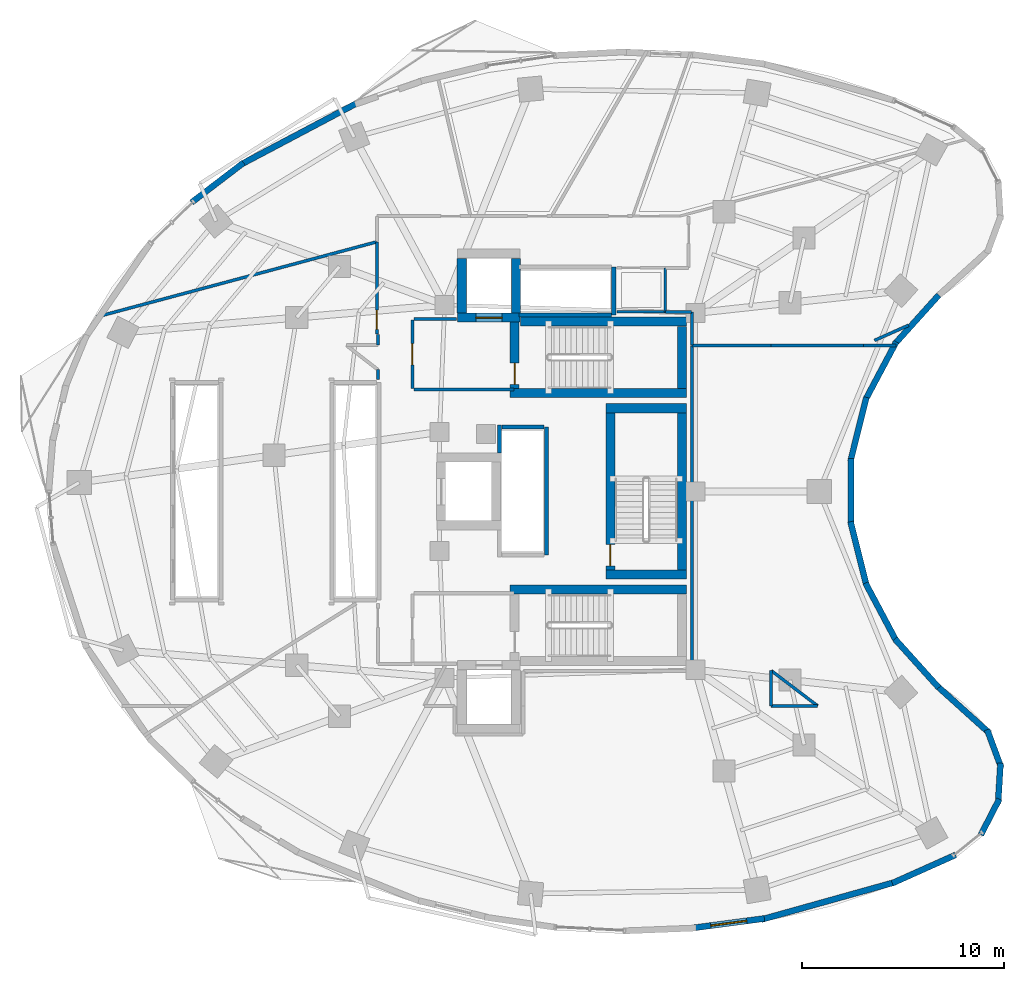
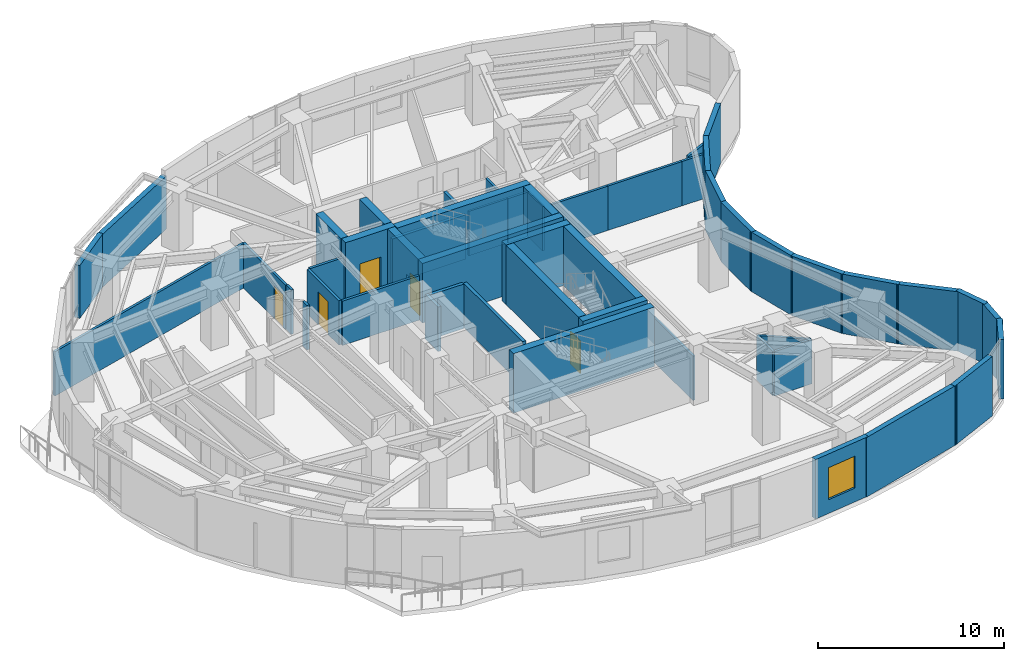
# One storey, part 9 of 12: 52 walls, 5 doors, 1 window, 6 openings.
"""IFC4 building model written with IfcOpenShell, lengths in metres."""

from ifc_helpers import new_model, si_unit, direction, frame, frame_2d, origin, place, context, subcontext, project, spatial, rectangle, extrude, material, layer, layer_set, type_object, element, fill, save


model = new_model("IFC4")

# Units and contexts
model_context = context("Model", 3, precision=1e-05, world=origin(), true_north=direction((0.0, 1.0)))
body_context = subcontext(model_context, "Body", "Model", "MODEL_VIEW")
ifc_project = project(units=[si_unit("LENGTHUNIT", "METRE"), si_unit("AREAUNIT", "SQUARE_METRE"), si_unit("VOLUMEUNIT", "CUBIC_METRE"), si_unit("PLANEANGLEUNIT", "RADIAN"), si_unit("MASSUNIT", "GRAM", prefix="KILO")], contexts=[model_context])

# Site, building, storey
site_placement = place(None, origin())
site = spatial("IfcSite", under=ifc_project, at=site_placement, CompositionType="ELEMENT")
building_placement = place(site_placement, origin())
building = spatial("IfcBuilding", under=site, at=building_placement, Name="Korentha Bioscience Tower", CompositionType="ELEMENT")
storey_placement = place(building_placement, frame((0.0, 0.0, 136.199951171875)))
storey = spatial("IfcBuildingStorey", under=building, at=storey_placement, Name="L31", CompositionType="ELEMENT", Elevation=136.199951171875)

# Wall, opening, door
ifc_material_1 = material(Name="Double-Stud Acoustic Gypsum", Category="gypsum")
ifc_layer_1 = layer(ifc_material_1, 0.14990234375, Name="Double-Stud Acoustic Gypsum")
ifc_layer_set_1 = layer_set([ifc_layer_1], Name="Double-Stud Acoustic Gypsum (IW-L150)")
wall_type_1 = type_object("IfcWallType", Name="Acoustic Laboratory Partition Wall 150", PredefinedType="PARTITIONING", material=ifc_layer_set_1)
wall_1_placement = place(storey_placement, frame((21.739990234375, 39.382568359375, 0.0), z_axis=(0.0, 0.0, 1.0), x_axis=(0.0, -1.0, 0.0)))
wall_1 = element("IfcWall", 1, at=wall_1_placement, inside=storey, type_object=wall_type_1, Name="L31 Staff Kitchenette and Dining Nook 06 Entrance Wall", PredefinedType="PARTITIONING", context=body_context, shape_type="SweptSolid", body=[
    extrude(rectangle(XDim=4.58251953125, YDim=0.14990234375, at=frame_2d((2.291259765625, 0.0))), origin(), (0.0, 0.0, 1.0), 2.91015625),
])
opening_1_placement = place(wall_1_placement, frame((3.392578125, 0.0, 0.0)))
opening_1 = element("IfcOpeningElement", 2, at=opening_1_placement, cuts=wall_1, Name="Opening ID-10R", PredefinedType="OPENING", context=body_context, shape_type="SweptSolid", body=[
    extrude(rectangle(XDim=0.949951171875, YDim=2.14990234375, at=frame_2d((0.47509765625, 1.074951171875))), frame((0.0, 0.08984375, 0.0), z_axis=(0.0, -1.0, 0.0), x_axis=(1.0, 0.0, 0.0)), (0.0, 0.0, 1.0), 0.1796875),
])
ifc_material_2 = material(Name="Phenolic Laminate Timber Core", Category="wood")
door_type_1 = type_object("IfcDoorType", Name="Laboratory Single Leaf Door 950x2150 Right", OperationType="SINGLE_SWING_RIGHT", PredefinedType="DOOR", material=ifc_material_2)
door_1_placement = place(opening_1_placement, origin())
door_1 = element("IfcDoor", 3, at=door_1_placement, inside=storey, type_object=door_type_1, Name="L31 Staff Kitchenette and Dining Nook 06 Door", OperationType="SINGLE_SWING_RIGHT", OverallHeight=2.14990234375, OverallWidth=0.949951171875, PredefinedType="DOOR", context=body_context, shape_type="SweptSolid", body=[
    extrude(rectangle(XDim=0.949951171875, YDim=2.14990234375, at=frame_2d((0.47509765625, 1.074951171875))), frame((0.0, 0.02490234375, 0.0), z_axis=(0.0, -1.0, 0.0), x_axis=(1.0, 0.0, 0.0)), (0.0, 0.0, 1.0), 0.050048828125),
])
fill(opening_1, door_1)

# Walls
wall_2_placement = place(storey_placement, frame((37.360107421875, 18.10009765625, 0.0), z_axis=(0.0, 0.0, 1.0), x_axis=(0.0, 1.0, 0.0)))
element("IfcWall", 4, at=wall_2_placement, inside=storey, type_object=wall_type_1, Name="L31 Interior Partition 021", PredefinedType="PARTITIONING", context=body_context, shape_type="SweptSolid", body=[
    extrude(rectangle(XDim=16.14794921875, YDim=0.14990234375, at=frame_2d((8.073974609375, 0.0))), origin(), (0.0, 0.0, 1.0), 2.91015625),
])
wall_3_placement = place(storey_placement, frame((37.360107421875, 34.248046875, 0.0), z_axis=(0.0, 0.0, 1.0), x_axis=(1.0, 0.0, 0.0)))
element("IfcWall", 5, at=wall_3_placement, inside=storey, type_object=wall_type_1, Name="L31 Interior Partition 022", PredefinedType="PARTITIONING", context=body_context, shape_type="SweptSolid", body=[
    extrude(rectangle(XDim=3.937744140625, YDim=0.14990234375, at=frame_2d((1.96875, 0.0))), origin(), (0.0, 0.0, 1.0), 2.91015625),
])
wall_4_placement = place(storey_placement, frame((41.30224609375, 34.248046875, 0.0), z_axis=(0.0, 0.0, 1.0), x_axis=(1.0, 0.0, 0.0)))
element("IfcWall", 6, at=wall_4_placement, inside=storey, type_object=wall_type_1, Name="L31 Interior Partition 023", PredefinedType="PARTITIONING", context=body_context, shape_type="SweptSolid", body=[
    extrude(rectangle(XDim=4.57958984375, YDim=0.14990234375, at=frame_2d((2.289794921875, 0.0))), origin(), (0.0, 0.0, 1.0), 2.91015625),
])
wall_5_placement = place(storey_placement, frame((45.89208984375, 34.248046875, 0.0), z_axis=(0.0, 0.0, 1.0), x_axis=(1.0, 0.0, 0.0)))
element("IfcWall", 7, at=wall_5_placement, inside=storey, type_object=wall_type_1, Name="L31 Interior Partition 024", PredefinedType="PARTITIONING", context=body_context, shape_type="SweptSolid", body=[
    extrude(rectangle(XDim=1.610107421875, YDim=0.14990234375, at=frame_2d((0.80517578125, 0.0))), origin(), (0.0, 0.0, 1.0), 2.91015625),
])
wall_6_placement = place(storey_placement, frame((41.30224609375, 16.347900390625, 0.0), z_axis=(0.0, 0.0, 1.0), x_axis=(1.0, 0.0, 0.0)))
element("IfcWall", 8, at=wall_6_placement, inside=storey, type_object=wall_type_1, Name="L31 Interior Partition 025", PredefinedType="PARTITIONING", context=body_context, shape_type="SweptSolid", body=[
    extrude(rectangle(XDim=2.302490234375, YDim=0.14990234375, at=frame_2d((1.1513671875, 0.0))), origin(), (0.0, 0.0, 1.0), 2.91015625),
])
wall_7_placement = place(storey_placement, frame((43.607421875, 16.355224609375, 0.0), z_axis=(0.0, 0.0, 1.0), x_axis=(-0.795962153219, 0.605346388974, 0.0)))
element("IfcWall", 9, at=wall_7_placement, inside=storey, type_object=wall_type_1, Name="L31 Interior Partition 026", PredefinedType="PARTITIONING", context=body_context, shape_type="SweptSolid", body=[
    extrude(rectangle(XDim=2.893310546875, YDim=0.14990234375, at=frame_2d((1.44677734375, 0.0))), origin(), (0.0, 0.0, 1.0), 2.91015625),
])
wall_8_placement = place(storey_placement, frame((41.298095703125, 18.103515625, 0.0), z_axis=(0.0, 0.0, 1.0), x_axis=(0.0, -1.0, 0.0)))
element("IfcWall", 10, at=wall_8_placement, inside=storey, type_object=wall_type_1, Name="L31 Interior Partition 027", PredefinedType="PARTITIONING", context=body_context, shape_type="SweptSolid", body=[
    extrude(rectangle(XDim=1.751220703125, YDim=0.14990234375, at=frame_2d((0.87548828125, 0.0))), origin(), (0.0, 0.0, 1.0), 2.91015625),
])
wall_9_placement = place(storey_placement, frame((48.1171875, 35.2431640625, 0.0), z_axis=(0.0, 0.0, 1.0), x_axis=(-0.913545637302, -0.406736239553, 0.0)))
element("IfcWall", 11, at=wall_9_placement, inside=storey, type_object=wall_type_1, Name="L31 Interior Partition 030", PredefinedType="PARTITIONING", context=body_context, shape_type="SweptSolid", body=[
    extrude(rectangle(XDim=1.8564453125, YDim=0.14990234375, at=frame_2d((0.92822265625, 0.0))), origin(), (0.0, 0.0, 1.0), 2.91015625),
])
wall_10_placement = place(storey_placement, frame((37.360107421875, 34.258056640625, 0.0), z_axis=(0.0, 0.0, 1.0), x_axis=(0.0, 1.0, 0.0)))
element("IfcWall", 12, at=wall_10_placement, inside=storey, type_object=wall_type_1, Name="L31 Interior Partition 031", PredefinedType="PARTITIONING", context=body_context, shape_type="SweptSolid", body=[
    extrude(rectangle(XDim=1.641845703125, YDim=0.14990234375, at=frame_2d((0.82080078125, 0.0))), origin(), (0.0, 0.0, 1.0), 2.91015625),
])
wall_11_placement = place(storey_placement, frame((37.35009765625, 35.909912109375, 0.0), z_axis=(0.0, 0.0, 1.0), x_axis=(-1.0, 0.0, 0.0)))
element("IfcWall", 13, at=wall_11_placement, inside=storey, type_object=wall_type_1, Name="L31 Interior Partition 032", PredefinedType="PARTITIONING", context=body_context, shape_type="SweptSolid", body=[
    extrude(rectangle(XDim=1.2900390625, YDim=0.14990234375, at=frame_2d((0.64501953125, 0.0))), origin(), (0.0, 0.0, 1.0), 2.91015625),
])
wall_12_placement = place(storey_placement, frame((7.829833984375, 35.6552734375, 0.0), z_axis=(0.0, 0.0, 1.0), x_axis=(0.965924441149, 0.258824214459, 0.0)))
element("IfcWall", 14, at=wall_12_placement, inside=storey, type_object=wall_type_1, Name="L31 Interior Partition 036", PredefinedType="PARTITIONING", context=body_context, shape_type="SweptSolid", body=[
    extrude(rectangle(XDim=14.40087890625, YDim=0.14990234375, at=frame_2d((7.200439453125, 0.0))), origin(), (0.0, 0.0, 1.0), 2.91015625),
])
wall_13_placement = place(storey_placement, frame((21.7900390625, 34.7900390625, 0.0), z_axis=(0.0, 0.0, 1.0), x_axis=(0.0, -1.0, 0.0)))
element("IfcWall", 15, at=wall_13_placement, inside=storey, type_object=wall_type_1, Name="L31 Interior Partition 037", PredefinedType="PARTITIONING", context=body_context, shape_type="SweptSolid", body=[
    extrude(rectangle(XDim=0.5380859375, YDim=0.14990234375, at=frame_2d((0.26904296875, 0.0))), origin(), (0.0, 0.0, 1.0), 2.91015625),
])
wall_14_placement = place(storey_placement, frame((21.7900390625, 33.03759765625, 0.0), z_axis=(0.0, 0.0, 1.0), x_axis=(0.0, -1.0, 0.0)))
element("IfcWall", 16, at=wall_14_placement, inside=storey, type_object=wall_type_1, Name="L31 Interior Partition 040", PredefinedType="PARTITIONING", context=body_context, shape_type="SweptSolid", body=[
    extrude(rectangle(XDim=0.4775390625, YDim=0.14990234375, at=frame_2d((0.23876953125, 0.0))), origin(), (0.0, 0.0, 1.0), 2.91015625),
])

# Wall, opening, door
ifc_material_3 = material(Name="Gypsum-Clad Steel Stud", Category="steel")
ifc_layer_2 = layer(ifc_material_3, 0.159912109375, Name="Gypsum-Clad Steel Stud")
ifc_layer_set_2 = layer_set([ifc_layer_2], Name="Gypsum-Clad Steel Stud (IW-C160)")
wall_type_2 = type_object("IfcWallType", Name="Fire-Rated Corridor Partition Wall 160", PredefinedType="PARTITIONING", material=ifc_layer_set_2)
wall_15_placement = place(storey_placement, frame((23.5, 32.10009765625, 0.0), z_axis=(0.0, 0.0, 1.0), x_axis=(0.0, 1.0, 0.0)))
wall_15 = element("IfcWall", 17, at=wall_15_placement, inside=storey, type_object=wall_type_2, Name="L31 FFLN-CW Rated Enclosure Wall", PredefinedType="PARTITIONING", context=body_context, shape_type="SweptSolid", body=[
    extrude(rectangle(XDim=3.39990234375, YDim=0.159912109375, at=frame_2d((1.699951171875, 0.0))), origin(), (0.0, 0.0, 1.0), 2.91015625),
])
opening_2_placement = place(wall_15_placement, frame((1.175048828125, 0.0, 0.0)))
opening_2 = element("IfcOpeningElement", 18, at=opening_2_placement, cuts=wall_15, Name="Opening FD-90R", PredefinedType="OPENING", context=body_context, shape_type="SweptSolid", body=[
    extrude(rectangle(XDim=1.050048828125, YDim=2.14990234375, at=frame_2d((0.52490234375, 1.074951171875))), frame((0.0, 0.0947265625, 0.0), z_axis=(0.0, -1.0, 0.0), x_axis=(1.0, 0.0, 0.0)), (0.0, 0.0, 1.0), 0.189697265625),
])
ifc_material_4 = material(Name="Powder-Coated Fire-Rated Steel", Category="steel")
door_type_2 = type_object("IfcDoorType", Name="Stairwell Fire Exit Door 1050x2150 Right", OperationType="SINGLE_SWING_RIGHT", PredefinedType="DOOR", material=ifc_material_4)
door_2_placement = place(opening_2_placement, origin())
door_2 = element("IfcDoor", 19, at=door_2_placement, inside=storey, type_object=door_type_2, Name="L31 North Firefighting Lobby Door", OperationType="SINGLE_SWING_RIGHT", OverallHeight=2.14990234375, OverallWidth=1.050048828125, PredefinedType="DOOR", context=body_context, shape_type="SweptSolid", body=[
    extrude(rectangle(XDim=1.050048828125, YDim=2.14990234375, at=frame_2d((0.52490234375, 1.074951171875))), frame((0.0, 0.02490234375, 0.0), z_axis=(0.0, -1.0, 0.0), x_axis=(1.0, 0.0, 0.0)), (0.0, 0.0, 1.0), 0.050048828125),
])
fill(opening_2, door_2)

# Walls
wall_16_placement = place(storey_placement, frame((23.580078125, 32.050048828125, 0.0), z_axis=(0.0, 0.0, 1.0), x_axis=(1.0, 0.0, 0.0)))
element("IfcWall", 20, at=wall_16_placement, inside=storey, type_object=wall_type_2, Name="L31 Firefighting Lobby Return Wall FFLN-S", PredefinedType="PARTITIONING", context=body_context, shape_type="SweptSolid", body=[
    extrude(rectangle(XDim=4.969970703125, YDim=0.159912109375, at=frame_2d((2.48486328125, 0.0))), origin(), (0.0, 0.0, 1.0), 2.91015625),
])
wall_17_placement = place(storey_placement, frame((23.580078125, 35.550048828125, 0.0), z_axis=(0.0, 0.0, 1.0), x_axis=(1.0, 0.0, 0.0)))
element("IfcWall", 21, at=wall_17_placement, inside=storey, type_object=wall_type_2, Name="L31 Firefighting Lobby Return Wall FFLN-N", PredefinedType="PARTITIONING", context=body_context, shape_type="SweptSolid", body=[
    extrude(rectangle(XDim=2.119873046875, YDim=0.159912109375, at=frame_2d((1.06005859375, 0.0))), origin(), (0.0, 0.0, 1.0), 2.91015625),
])

# Wall, opening, window
ifc_material_5 = material(Name="Honed Limestone Precast Concrete C40", Category="masonry")
ifc_layer_3 = layer(ifc_material_5, 0.300048828125, Name="Honed Limestone Precast Concrete C40")
ifc_layer_set_3 = layer_set([ifc_layer_3], Name="Honed Limestone Precast Concrete C40 (EW-ST300)")
wall_type_3 = type_object("IfcWallType", Name="Honed Limestone Cavity Spandrel Wall 300", PredefinedType="STANDARD", material=ifc_layer_set_3)
wall_18_placement = place(storey_placement, frame((37.41943359375, 5.34130859375, 0.0), z_axis=(0.0, 0.0, 1.0), x_axis=(0.991369257822, 0.131099178664, 0.0)))
wall_18 = element("IfcWall", 22, at=wall_18_placement, inside=storey, type_object=wall_type_3, Name="L31 Honed Limestone Spandrel Wall 33", PredefinedType="STANDARD", context=body_context, shape_type="SweptSolid", body=[
    extrude(rectangle(XDim=3.575439453125, YDim=0.300048828125, at=frame_2d((1.78759765625, 0.0))), origin(), (0.0, 0.0, 1.0), 3.900146484375),
])
opening_3_placement = place(wall_18_placement, frame((0.8876953125, 0.0, 0.89990234375)))
opening_3 = element("IfcOpeningElement", 23, at=opening_3_placement, cuts=wall_18, Name="Opening WN-01", PredefinedType="OPENING", context=body_context, shape_type="SweptSolid", body=[
    extrude(rectangle(XDim=1.800048828125, YDim=2.10009765625, at=frame_2d((0.89990234375, 1.050048828125))), frame((0.0, 0.1650390625, 0.0), z_axis=(0.0, -1.0, 0.0), x_axis=(1.0, 0.0, 0.0)), (0.0, 0.0, 1.0), 0.329833984375),
])
ifc_material_6 = material(Name="Thermally Broken Aluminium Triple Glazing", Category="aluminium")
window_type = type_object("IfcWindowType", Name="Triple-Glazed Fixed Bioscience Window 1800x2100", PartitioningType="SINGLE_PANEL", PredefinedType="WINDOW", material=ifc_material_6)
window_placement = place(opening_3_placement, origin())
window = element("IfcWindow", 24, at=window_placement, inside=storey, type_object=window_type, Name="L31 Facade Window 33", OverallHeight=2.10009765625, OverallWidth=1.800048828125, PartitioningType="SINGLE_PANEL", PredefinedType="WINDOW", context=body_context, shape_type="SweptSolid", body=[
    extrude(rectangle(XDim=1.800048828125, YDim=2.10009765625, at=frame_2d((0.89990234375, 1.050048828125))), frame((0.0, 0.030029296875, 0.0), z_axis=(0.0, -1.0, 0.0), x_axis=(1.0, 0.0, 0.0)), (0.0, 0.0, 1.0), 0.06005859375),
])
fill(opening_3, window)

# Walls
wall_19_placement = place(storey_placement, frame((20.802490234375, 46.29248046875, 0.0), z_axis=(0.0, 0.0, 1.0), x_axis=(-0.883986649445, -0.467512142734, 0.0)))
element("IfcWall", 25, at=wall_19_placement, inside=storey, type_object=wall_type_3, Name="L31 Limestone Perimeter Closure Wall 10", PredefinedType="STANDARD", context=body_context, shape_type="SweptSolid", body=[
    extrude(rectangle(XDim=6.601318359375, YDim=0.300048828125, at=frame_2d((3.30078125, 0.0))), origin(), (0.0, 0.0, 1.0), 3.469970703125),
])
wall_20_placement = place(storey_placement, frame((15.120849609375, 43.3046875, 0.0), z_axis=(0.0, 0.0, 1.0), x_axis=(-0.794500987227, -0.607262860132, 0.0)))
element("IfcWall", 26, at=wall_20_placement, inside=storey, type_object=wall_type_3, Name="L31 Limestone Perimeter Closure Wall 12", PredefinedType="STANDARD", context=body_context, shape_type="SweptSolid", body=[
    extrude(rectangle(XDim=3.242919921875, YDim=0.300048828125, at=frame_2d((1.62158203125, 0.0))), origin(), (0.0, 0.0, 1.0), 3.469970703125),
])
wall_21_placement = place(storey_placement, frame((40.810791015625, 5.7568359375, 0.0), z_axis=(0.0, 0.0, 1.0), x_axis=(0.963116215402, 0.269085777459, 0.0)))
element("IfcWall", 27, at=wall_21_placement, inside=storey, type_object=wall_type_3, Name="L31 Limestone Perimeter Closure Wall 34", PredefinedType="STANDARD", context=body_context, shape_type="SweptSolid", body=[
    extrude(rectangle(XDim=6.923583984375, YDim=0.300048828125, at=frame_2d((3.4619140625, 0.0))), origin(), (0.0, 0.0, 1.0), 3.900146484375),
])
wall_22_placement = place(storey_placement, frame((47.309326171875, 7.55859375, 0.0), z_axis=(0.0, 0.0, 1.0), x_axis=(0.912672725317, 0.408691199395, 0.0)))
element("IfcWall", 28, at=wall_22_placement, inside=storey, type_object=wall_type_3, Name="L31 Limestone Perimeter Closure Wall 36", PredefinedType="STANDARD", context=body_context, shape_type="SweptSolid", body=[
    extrude(rectangle(XDim=3.44091796875, YDim=0.300048828125, at=frame_2d((1.720458984375, 0.0))), origin(), (0.0, 0.0, 1.0), 3.900146484375),
])
for number, where, z_axis, x_axis, name in (
    (29, (51.701171875, 9.953125, 0.0), (0.0, 0.0, 1.0), (0.457596540329, 0.889159944149, 0.0), "L31 Limestone Perimeter Closure Wall 38"),
    (30, (52.55859375, 11.522705078125, 0.0), (0.0, 0.0, 1.0), (0.060255200356, 0.998183004679, 0.0), "L31 Limestone Perimeter Closure Wall 39"),
):
    element("IfcWall", number, at=place(storey_placement, frame(where, z_axis=z_axis, x_axis=x_axis)), inside=storey, type_object=wall_type_3, Name=name, PredefinedType="STANDARD", context=body_context, shape_type="SweptSolid", body=[
        extrude(rectangle(XDim=1.99755859375, YDim=0.300048828125, at=frame_2d((0.998779296875, 0.0))), origin(), (0.0, 0.0, 1.0), 3.900146484375),
    ])
wall_23_placement = place(storey_placement, frame((52.710205078125, 13.3046875, 0.0), z_axis=(0.0, 0.0, 1.0), x_axis=(-0.347370087337, 0.937728117539, 0.0)))
element("IfcWall", 31, at=wall_23_placement, inside=storey, type_object=wall_type_3, Name="L31 Limestone Perimeter Closure Wall 40", PredefinedType="STANDARD", context=body_context, shape_type="SweptSolid", body=[
    extrude(rectangle(XDim=1.997314453125, YDim=0.300048828125, at=frame_2d((0.99853515625, 0.0))), origin(), (0.0, 0.0, 1.0), 3.900146484375),
])
wall_24_placement = place(storey_placement, frame((52.14111328125, 14.993896484375, 0.0), z_axis=(0.0, 0.0, 1.0), x_axis=(-0.74255963233, 0.669779958221, 0.0)))
element("IfcWall", 32, at=wall_24_placement, inside=storey, type_object=wall_type_3, Name="L31 Limestone Perimeter Closure Wall 41", PredefinedType="STANDARD", context=body_context, shape_type="SweptSolid", body=[
    extrude(rectangle(XDim=3.5390625, YDim=0.300048828125, at=frame_2d((1.76953125, 0.0))), origin(), (0.0, 0.0, 1.0), 3.900146484375),
])
wall_25_placement = place(storey_placement, frame((49.61572265625, 17.26171875, 0.0), z_axis=(0.0, 0.0, 1.0), x_axis=(-0.669167727967, 0.743111399353, 0.0)))
element("IfcWall", 33, at=wall_25_placement, inside=storey, type_object=wall_type_3, Name="L31 Limestone Perimeter Closure Wall 43", PredefinedType="STANDARD", context=body_context, shape_type="SweptSolid", body=[
    extrude(rectangle(XDim=3.25537109375, YDim=0.300048828125, at=frame_2d((1.627685546875, 0.0))), origin(), (0.0, 0.0, 1.0), 3.900146484375),
])
wall_26_placement = place(storey_placement, frame((47.5087890625, 19.578857421875, 0.0), z_axis=(0.0, 0.0, 1.0), x_axis=(-0.469451284634, 0.882958374645, 0.0)))
element("IfcWall", 34, at=wall_26_placement, inside=storey, type_object=wall_type_3, Name="L31 Limestone Perimeter Closure Wall 45", PredefinedType="STANDARD", context=body_context, shape_type="SweptSolid", body=[
    extrude(rectangle(XDim=3.255615234375, YDim=0.300048828125, at=frame_2d((1.6279296875, 0.0))), origin(), (0.0, 0.0, 1.0), 3.900146484375),
])
wall_27_placement = place(storey_placement, frame((46.025146484375, 22.3369140625, 0.0), z_axis=(0.0, 0.0, 1.0), x_axis=(-0.241900409149, 0.970301083197, 0.0)))
element("IfcWall", 35, at=wall_27_placement, inside=storey, type_object=wall_type_3, Name="L31 Limestone Perimeter Closure Wall 47", PredefinedType="STANDARD", context=body_context, shape_type="SweptSolid", body=[
    extrude(rectangle(XDim=3.255859375, YDim=0.300048828125, at=frame_2d((1.6279296875, 0.0))), origin(), (0.0, 0.0, 1.0), 3.900146484375),
])
wall_28_placement = place(storey_placement, frame((45.252685546875, 25.372314453125, 0.0), z_axis=(0.0, 0.0, 1.0), x_axis=(0.0, 1.0, 0.0)))
element("IfcWall", 36, at=wall_28_placement, inside=storey, type_object=wall_type_3, Name="L31 Limestone Perimeter Closure Wall 49", PredefinedType="STANDARD", context=body_context, shape_type="SweptSolid", body=[
    extrude(rectangle(XDim=3.25537109375, YDim=0.300048828125, at=frame_2d((1.627685546875, 0.0))), origin(), (0.0, 0.0, 1.0), 3.900146484375),
])
wall_29_placement = place(storey_placement, frame((45.237548828125, 28.50390625, 0.0), z_axis=(0.0, 0.0, 1.0), x_axis=(0.241900409149, 0.970301083197, 0.0)))
element("IfcWall", 37, at=wall_29_placement, inside=storey, type_object=wall_type_3, Name="L31 Limestone Perimeter Closure Wall 51", PredefinedType="STANDARD", context=body_context, shape_type="SweptSolid", body=[
    extrude(rectangle(XDim=3.255859375, YDim=0.300048828125, at=frame_2d((1.6279296875, 0.0))), origin(), (0.0, 0.0, 1.0), 3.900146484375),
])
wall_30_placement = place(storey_placement, frame((45.98046875, 31.546630859375, 0.0), z_axis=(0.0, 0.0, 1.0), x_axis=(0.469451284634, 0.882958374645, 0.0)))
element("IfcWall", 38, at=wall_30_placement, inside=storey, type_object=wall_type_3, Name="L31 Limestone Perimeter Closure Wall 53", PredefinedType="STANDARD", context=body_context, shape_type="SweptSolid", body=[
    extrude(rectangle(XDim=3.255615234375, YDim=0.300048828125, at=frame_2d((1.6279296875, 0.0))), origin(), (0.0, 0.0, 1.0), 3.900146484375),
])
wall_31_placement = place(storey_placement, frame((47.437255859375, 34.319091796875, 0.0), z_axis=(0.0, 0.0, 1.0), x_axis=(0.669167727967, 0.743111399353, 0.0)))
element("IfcWall", 39, at=wall_31_placement, inside=storey, type_object=wall_type_3, Name="L31 Limestone Perimeter Closure Wall 55", PredefinedType="STANDARD", context=body_context, shape_type="SweptSolid", body=[
    extrude(rectangle(XDim=3.25537109375, YDim=0.300048828125, at=frame_2d((1.627685546875, 0.0))), origin(), (0.0, 0.0, 1.0), 3.900146484375),
])
ifc_material_7 = material(Name="Autoclaved Aerated Concrete Block C25", Category="concrete")
ifc_layer_4 = layer(ifc_material_7, 0.199951171875, Name="Autoclaved Aerated Concrete Block C25")
ifc_layer_set_4 = layer_set([ifc_layer_4], Name="Autoclaved Aerated Concrete Block C25 (IW-S200)")
wall_type_4 = type_object("IfcWallType", Name="Lift and Riser Shaft Enclosure Wall 200", PredefinedType="PARTITIONING", material=ifc_layer_set_4)
wall_32_placement = place(storey_placement, frame((27.830078125, 28.908935546875, 0.0), z_axis=(0.0, 0.0, 1.0), x_axis=(0.0, 1.0, 0.0)))
element("IfcWall", 40, at=wall_32_placement, inside=storey, type_object=wall_type_4, Name="L31 Lift Bank HIGH Shaft Wall -XN", PredefinedType="PARTITIONING", context=body_context, shape_type="SweptSolid", body=[
    extrude(rectangle(XDim=1.39111328125, YDim=0.199951171875, at=frame_2d((0.695556640625, 0.0))), origin(), (0.0, 0.0, 1.0), 2.91015625),
])
wall_33_placement = place(storey_placement, frame((30.14990234375, 23.85009765625, 0.0), z_axis=(0.0, 0.0, 1.0), x_axis=(0.0, 1.0, 0.0)))
element("IfcWall", 41, at=wall_33_placement, inside=storey, type_object=wall_type_4, Name="L31 Lift Bank HIGH Shaft Wall +X", PredefinedType="PARTITIONING", context=body_context, shape_type="SweptSolid", body=[
    extrude(rectangle(XDim=6.349853515625, YDim=0.199951171875, at=frame_2d((3.1748046875, 0.0))), origin(), (0.0, 0.0, 1.0), 2.91015625),
])
wall_34_placement = place(storey_placement, frame((27.93408203125, 30.199951171875, 0.0), z_axis=(0.0, 0.0, 1.0), x_axis=(1.0, 0.0, 0.0)))
element("IfcWall", 42, at=wall_34_placement, inside=storey, type_object=wall_type_4, Name="L31 Lift Bank HIGH Shaft Wall +Y", PredefinedType="PARTITIONING", context=body_context, shape_type="SweptSolid", body=[
    extrude(rectangle(XDim=2.095947265625, YDim=0.199951171875, at=frame_2d((1.0478515625, 0.0))), origin(), (0.0, 0.0, 1.0), 2.91015625),
])
wall_35_placement = place(storey_placement, frame((33.489990234375, 35.760009765625, 0.0), z_axis=(0.0, 0.0, 1.0), x_axis=(0.0, 1.0, 0.0)))
element("IfcWall", 43, at=wall_35_placement, inside=storey, type_object=wall_type_4, Name="L31 Lift Bank OBS Shaft Wall +X", PredefinedType="PARTITIONING", context=body_context, shape_type="SweptSolid", body=[
    extrude(rectangle(XDim=2.3798828125, YDim=0.199951171875, at=frame_2d((1.18994140625, 0.0))), origin(), (0.0, 0.0, 1.0), 2.91015625),
])
wall_36_placement = place(storey_placement, frame((28.800048828125, 35.760009765625, 0.0), z_axis=(0.0, 0.0, 1.0), x_axis=(1.0, 0.0, 0.0)))
element("IfcWall", 44, at=wall_36_placement, inside=storey, type_object=wall_type_4, Name="L31 Lift Bank OBS Shaft Wall -Y", PredefinedType="PARTITIONING", context=body_context, shape_type="SweptSolid", body=[
    extrude(rectangle(XDim=4.570068359375, YDim=0.199951171875, at=frame_2d((2.28515625, 0.0))), origin(), (0.0, 0.0, 1.0), 2.91015625),
])
ifc_material_8 = material(Name="Concrete C80", Category="concrete")
ifc_layer_5 = layer(ifc_material_8, 0.449951171875, Name="Concrete C80")
ifc_layer_set_5 = layer_set([ifc_layer_5], Name="Concrete C80 (CW-C80)")
wall_type_5 = type_object("IfcWallType", Name="Lower Core Shear Wall 450", PredefinedType="SHEAR", material=ifc_layer_set_5)
wall_37_placement = place(storey_placement, frame((28.85205078125, 35.425048828125, 0.0), z_axis=(0.0, 0.0, 1.0), x_axis=(1.0, 0.0, 0.0)))
element("IfcWall", 45, at=wall_37_placement, inside=storey, type_object=wall_type_5, Name="L31 Core Shear Wall ST1-N", PredefinedType="SHEAR", context=body_context, shape_type="SweptSolid", body=[
    extrude(rectangle(XDim=8.248046875, YDim=0.449951171875, at=frame_2d((4.1240234375, 0.0))), origin(), (0.0, 0.0, 1.0), 3.900146484375),
])
wall_38_placement = place(storey_placement, frame((28.35009765625, 31.875, 0.0), z_axis=(0.0, 0.0, 1.0), x_axis=(1.0, 0.0, 0.0)))
element("IfcWall", 46, at=wall_38_placement, inside=storey, type_object=wall_type_5, Name="L31 Core Shear Wall ST1-S", PredefinedType="SHEAR", context=body_context, shape_type="SweptSolid", body=[
    extrude(rectangle(XDim=8.75, YDim=0.449951171875, at=frame_2d((4.375, 0.0))), origin(), (0.0, 0.0, 1.0), 3.900146484375),
])
wall_39_placement = place(storey_placement, frame((36.875, 32.110107421875, 0.0), z_axis=(0.0, 0.0, 1.0), x_axis=(0.0, 1.0, 0.0)))
element("IfcWall", 47, at=wall_39_placement, inside=storey, type_object=wall_type_5, Name="L31 Core Shear Wall ST1-E", PredefinedType="SHEAR", context=body_context, shape_type="SweptSolid", body=[
    extrude(rectangle(XDim=3.079833984375, YDim=0.449951171875, at=frame_2d((1.5400390625, 0.0))), origin(), (0.0, 0.0, 1.0), 3.900146484375),
])

# Wall, opening, door
wall_40_placement = place(storey_placement, frame((28.574951171875, 32.110107421875, 0.0), z_axis=(0.0, 0.0, 1.0), x_axis=(0.0, 1.0, 0.0)))
wall_40 = element("IfcWall", 48, at=wall_40_placement, inside=storey, type_object=wall_type_5, Name="L31 Core Shear Wall ST1-W", PredefinedType="SHEAR", context=body_context, shape_type="SweptSolid", body=[
    extrude(rectangle(XDim=3.282958984375, YDim=0.449951171875, at=frame_2d((1.6416015625, 0.0))), origin(), (0.0, 0.0, 1.0), 3.900146484375),
])
opening_4_placement = place(wall_40_placement, frame((0.199951171875, 0.0, 0.0)))
opening_4 = element("IfcOpeningElement", 49, at=opening_4_placement, cuts=wall_40, Name="Opening FD-90R", PredefinedType="OPENING", context=body_context, shape_type="SweptSolid", body=[
    extrude(rectangle(XDim=1.050048828125, YDim=2.14990234375, at=frame_2d((0.52490234375, 1.074951171875))), frame((0.0, 0.23974609375, 0.0), z_axis=(0.0, -1.0, 0.0), x_axis=(1.0, 0.0, 0.0)), (0.0, 0.0, 1.0), 0.479736328125),
])
door_3_placement = place(opening_4_placement, origin())
door_3 = element("IfcDoor", 50, at=door_3_placement, inside=storey, type_object=door_type_2, Name="L31 ST-1 Fire Exit Stair Door", OperationType="SINGLE_SWING_RIGHT", OverallHeight=2.14990234375, OverallWidth=1.050048828125, PredefinedType="DOOR", context=body_context, shape_type="SweptSolid", body=[
    extrude(rectangle(XDim=1.050048828125, YDim=2.14990234375, at=frame_2d((0.52490234375, 1.074951171875))), frame((0.0, 0.02490234375, 0.0), z_axis=(0.0, -1.0, 0.0), x_axis=(1.0, 0.0, 0.0)), (0.0, 0.0, 1.0), 0.050048828125),
])
fill(opening_4, door_3)

# Walls
wall_41_placement = place(storey_placement, frame((28.35009765625, 22.125, 0.0), z_axis=(0.0, 0.0, 1.0), x_axis=(1.0, 0.0, 0.0)))
element("IfcWall", 51, at=wall_41_placement, inside=storey, type_object=wall_type_5, Name="L31 Core Shear Wall ST2-N", PredefinedType="SHEAR", context=body_context, shape_type="SweptSolid", body=[
    extrude(rectangle(XDim=8.75, YDim=0.449951171875, at=frame_2d((4.375, 0.0))), origin(), (0.0, 0.0, 1.0), 3.900146484375),
])
for number, where, z_axis, x_axis, name in (
    (52, (33.10009765625, 31.125, 0.0), (0.0, 0.0, 1.0), (1.0, 0.0, 0.0), "L31 Core Shear Wall ST3-N"),
    (53, (33.10009765625, 22.875, 0.0), (0.0, 0.0, 1.0), (1.0, 0.0, 0.0), "L31 Core Shear Wall ST3-S"),
):
    element("IfcWall", number, at=place(storey_placement, frame(where, z_axis=z_axis, x_axis=x_axis)), inside=storey, type_object=wall_type_5, Name=name, PredefinedType="SHEAR", context=body_context, shape_type="SweptSolid", body=[
        extrude(rectangle(XDim=4.0, YDim=0.449951171875, at=frame_2d((2.0, 0.0))), origin(), (0.0, 0.0, 1.0), 3.900146484375),
    ])
wall_42_placement = place(storey_placement, frame((36.875, 23.110107421875, 0.0), z_axis=(0.0, 0.0, 1.0), x_axis=(0.0, 1.0, 0.0)))
element("IfcWall", 54, at=wall_42_placement, inside=storey, type_object=wall_type_5, Name="L31 Core Shear Wall ST3-E", PredefinedType="SHEAR", context=body_context, shape_type="SweptSolid", body=[
    extrude(rectangle(XDim=7.77978515625, YDim=0.449951171875, at=frame_2d((3.889892578125, 0.0))), origin(), (0.0, 0.0, 1.0), 3.900146484375),
])

# Wall, opening, door
wall_43_placement = place(storey_placement, frame((33.324951171875, 23.110107421875, 0.0), z_axis=(0.0, 0.0, 1.0), x_axis=(0.0, 1.0, 0.0)))
wall_43 = element("IfcWall", 55, at=wall_43_placement, inside=storey, type_object=wall_type_5, Name="L31 Core Shear Wall ST3-W", PredefinedType="SHEAR", context=body_context, shape_type="SweptSolid", body=[
    extrude(rectangle(XDim=7.77978515625, YDim=0.449951171875, at=frame_2d((3.889892578125, 0.0))), origin(), (0.0, 0.0, 1.0), 3.900146484375),
])
opening_5_placement = place(wall_43_placement, frame((0.199951171875, 0.0, 0.0)))
opening_5 = element("IfcOpeningElement", 56, at=opening_5_placement, cuts=wall_43, Name="Opening FD-90R", PredefinedType="OPENING", context=body_context, shape_type="SweptSolid", body=[
    extrude(rectangle(XDim=1.050048828125, YDim=2.14990234375, at=frame_2d((0.52490234375, 1.074951171875))), frame((0.0, 0.23974609375, 0.0), z_axis=(0.0, -1.0, 0.0), x_axis=(1.0, 0.0, 0.0)), (0.0, 0.0, 1.0), 0.479736328125),
])
door_4_placement = place(opening_5_placement, origin())
door_4 = element("IfcDoor", 57, at=door_4_placement, inside=storey, type_object=door_type_2, Name="L31 ST-3 Fire Exit Stair Door", OperationType="SINGLE_SWING_RIGHT", OverallHeight=2.14990234375, OverallWidth=1.050048828125, PredefinedType="DOOR", context=body_context, shape_type="SweptSolid", body=[
    extrude(rectangle(XDim=1.050048828125, YDim=2.14990234375, at=frame_2d((0.52490234375, 1.074951171875))), frame((0.0, 0.02490234375, 0.0), z_axis=(0.0, -1.0, 0.0), x_axis=(1.0, 0.0, 0.0)), (0.0, 0.0, 1.0), 0.050048828125),
])
fill(opening_5, door_4)

wall_44_placement = place(storey_placement, frame((25.75, 35.6201171875, 0.0), z_axis=(0.0, 0.0, 1.0), x_axis=(1.0, 0.0, 0.0)))
wall_44 = element("IfcWall", 58, at=wall_44_placement, inside=storey, type_object=wall_type_5, Name="L31 Core Shear Wall FFL2-S", PredefinedType="SHEAR", context=body_context, shape_type="SweptSolid", body=[
    extrude(rectangle(XDim=3.10009765625, YDim=0.449951171875, at=frame_2d((1.550048828125, 0.0))), origin(), (0.0, 0.0, 1.0), 3.900146484375),
])
opening_6_placement = place(wall_44_placement, frame((0.89990234375, 0.0, 0.0)))
opening_6 = element("IfcOpeningElement", 59, at=opening_6_placement, cuts=wall_44, Name="Opening LD-13", PredefinedType="OPENING", context=body_context, shape_type="SweptSolid", body=[
    extrude(rectangle(XDim=1.300048828125, YDim=2.199951171875, at=frame_2d((0.64990234375, 1.10009765625))), frame((0.0, 0.23974609375, 0.0), z_axis=(0.0, -1.0, 0.0), x_axis=(1.0, 0.0, 0.0)), (0.0, 0.0, 1.0), 0.479736328125),
])
ifc_material_9 = material(Name="Brushed Stainless Steel 316", Category="steel")
door_type_3 = type_object("IfcDoorType", Name="Service & Firefighting Lift Landing Door 1300x2300", OperationType="DOUBLE_DOOR_SLIDING", PredefinedType="DOOR", material=ifc_material_9)
door_5_placement = place(opening_6_placement, origin())
door_5 = element("IfcDoor", 60, at=door_5_placement, inside=storey, type_object=door_type_3, Name="L31 FFL-2 Sliding Lift Landing Door", OperationType="DOUBLE_DOOR_SLIDING", OverallHeight=2.199951171875, OverallWidth=1.300048828125, PredefinedType="DOOR", context=body_context, shape_type="SweptSolid", body=[
    extrude(rectangle(XDim=1.300048828125, YDim=2.199951171875, at=frame_2d((0.64990234375, 1.10009765625))), frame((0.0, 0.02490234375, 0.0), z_axis=(0.0, -1.0, 0.0), x_axis=(1.0, 0.0, 0.0)), (0.0, 0.0, 1.0), 0.050048828125),
])
fill(opening_6, door_5)

# Walls
for number, where, z_axis, x_axis, name in (
    (61, (25.949951171875, 35.860107421875, 0.0), (0.0, 0.0, 1.0), (0.0, 1.0, 0.0), "L31 Core Shear Wall FFL2-W"),
    (62, (28.64990234375, 35.860107421875, 0.0), (0.0, 0.0, 1.0), (0.0, 1.0, 0.0), "L31 Core Shear Wall FFL2-E"),
):
    element("IfcWall", number, at=place(storey_placement, frame(where, z_axis=z_axis, x_axis=x_axis)), inside=storey, type_object=wall_type_5, Name=name, PredefinedType="SHEAR", context=body_context, shape_type="SweptSolid", body=[
        extrude(rectangle(XDim=2.699951171875, YDim=0.449951171875, at=frame_2d((1.35009765625, 0.0))), origin(), (0.0, 0.0, 1.0), 3.900146484375),
    ])
ifc_material_10 = material(Name="Cement-Board Steel Stud", Category="steel")
ifc_layer_6 = layer(ifc_material_10, 0.1298828125, Name="Cement-Board Steel Stud")
ifc_layer_set_6 = layer_set([ifc_layer_6], Name="Cement-Board Steel Stud (IW-W130)")
wall_type_6 = type_object("IfcWallType", Name="Wet-Area Moisture-Resistant Partition 130", PredefinedType="PARTITIONING", material=ifc_layer_set_6)
wall_45_placement = place(storey_placement, frame((36.050048828125, 35.909912109375, 0.0), z_axis=(0.0, 0.0, 1.0), x_axis=(-1.0, 0.0, 0.0)))
element("IfcWall", 63, at=wall_45_placement, inside=storey, type_object=wall_type_6, Name="L31 Interior Partition 009", PredefinedType="PARTITIONING", context=body_context, shape_type="SweptSolid", body=[
    extrude(rectangle(XDim=2.400146484375, YDim=0.1298828125, at=frame_2d((1.2001953125, 0.0))), origin(), (0.0, 0.0, 1.0), 2.91015625),
])
wall_46_placement = place(storey_placement, frame((36.050048828125, 38.090087890625, 0.0), z_axis=(0.0, 0.0, 1.0), x_axis=(0.0, -1.0, 0.0)))
element("IfcWall", 64, at=wall_46_placement, inside=storey, type_object=wall_type_6, Name="L31 Interior Partition 010", PredefinedType="PARTITIONING", context=body_context, shape_type="SweptSolid", body=[
    extrude(rectangle(XDim=2.18017578125, YDim=0.1298828125, at=frame_2d((1.090087890625, 0.0))), origin(), (0.0, 0.0, 1.0), 2.91015625),
])

save(model, "model.ifc")
